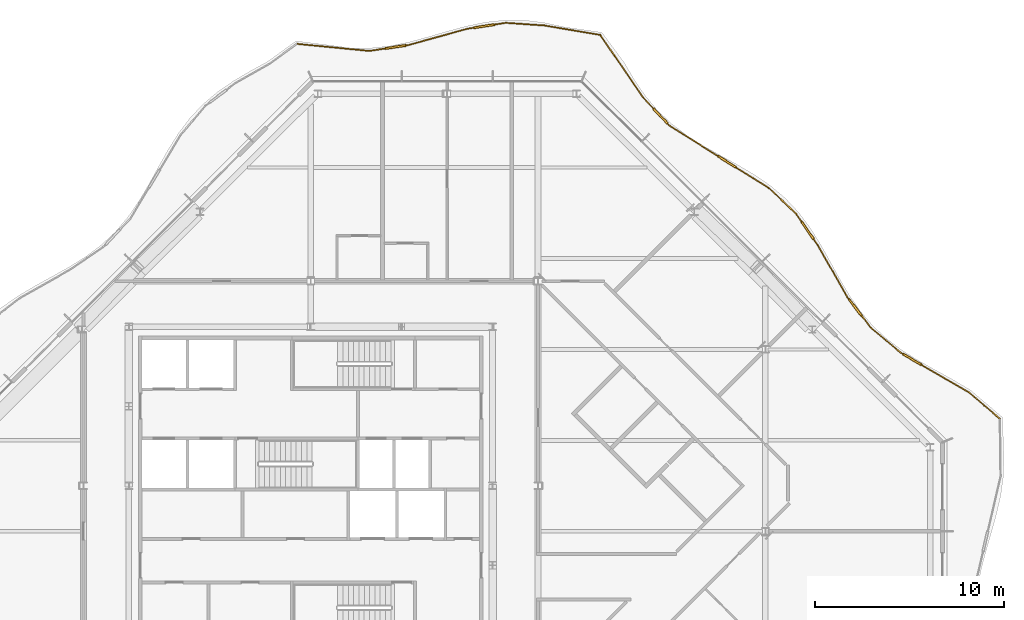
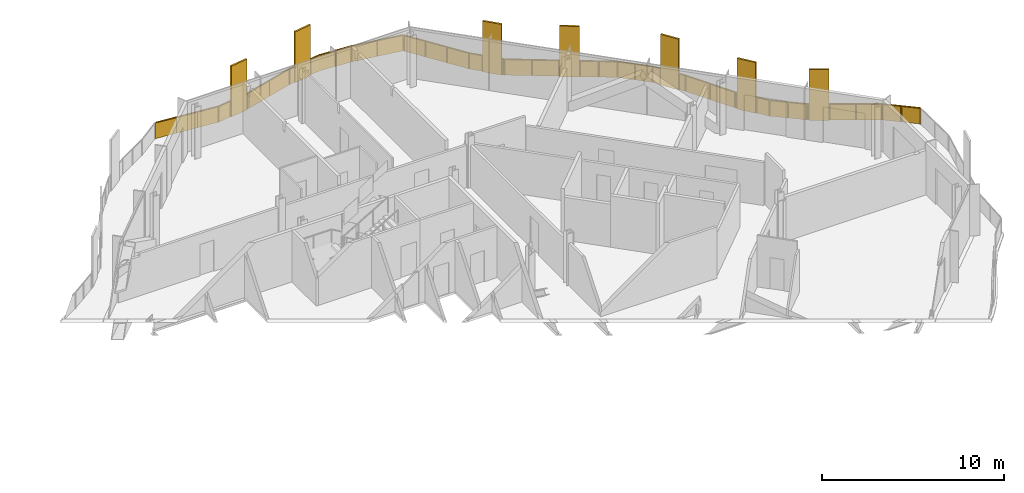
# One storey, part 16 of 16: 2 railings.
"""IFC4 building model written with IfcOpenShell, lengths in metres."""

import ifcopenshell
import ifcopenshell.guid

model = None  # the IFC model being written
_history = None  # IfcOwnerHistory: only IFC2X3 demands one
_inside = {}  # id of a spatial element -> (the spatial element, [elements in it])
_under = {}  # id of a project, library or spatial element -> (it, [spatial elements below it])
_declared = {}  # id of a project -> (the project, [libraries it declares])
_typed = {}  # id of a type object -> (the type object, [elements of that type])
_made_of = {}  # id of a material, layer set ... -> (it, [elements and type objects made of it])


def new_model(schema):
    """Start an empty IFC model of exactly this schema.

    Asked for "IFC4X3", IfcOpenShell would pick the latest addendum, in which some entities
    have other attributes; the version numbers below select the first issue.
    IFC2X3 requires an IfcOwnerHistory on every rooted entity: one is made here for all.
    """
    global model, _history
    if schema == "IFC4X3":
        model = ifcopenshell.file(schema_version=(4, 3, 0, 0))
    else:
        model = ifcopenshell.file(schema=schema)
    _inside.clear()
    _under.clear()
    _declared.clear()
    _typed.clear()
    _made_of.clear()
    _history = None
    if model.schema == "IFC2X3":
        org = make("IfcOrganization", Name="unknown")
        user = make(
            "IfcPersonAndOrganization",
            ThePerson=make("IfcPerson", FamilyName="unknown"),
            TheOrganization=org,
        )
        app = make(
            "IfcApplication",
            ApplicationDeveloper=org,
            Version="unknown",
            ApplicationFullName="unknown",
            ApplicationIdentifier="unknown",
        )
        _history = make(
            "IfcOwnerHistory",
            OwningUser=user,
            OwningApplication=app,
            ChangeAction="ADDED",
            CreationDate=0,
        )
    return model


def make(cls, **values):
    """One entity of the class cls with the attributes given. An attribute that is None is left unset."""
    return model.create_entity(
        cls, **{name: value for name, value in values.items() if value is not None}
    )


def rooted(cls, **values):
    """An entity with a GlobalId (a new one), such as an element, a storey or a relation."""
    return make(cls, GlobalId=ifcopenshell.guid.new(), OwnerHistory=_history, **values)


def si_unit(unit_type, name, prefix=None):
    """IfcSIUnit, for example si_unit("LENGTHUNIT", "METRE", prefix="MILLI")."""
    return make("IfcSIUnit", UnitType=unit_type, Prefix=prefix, Name=name)


def assignment(units):
    """IfcUnitAssignment: the units of a project."""
    return None if units is None else make("IfcUnitAssignment", Units=units)


def point(xyz):
    """IfcCartesianPoint."""
    return None if xyz is None else make("IfcCartesianPoint", Coordinates=xyz)


def direction(xyz):
    """IfcDirection."""
    return None if xyz is None else make("IfcDirection", DirectionRatios=xyz)


def frame(location, z_axis=None, x_axis=None):
    """IfcAxis2Placement3D, a coordinate frame: its origin and axes. An axis left out is left unset."""
    return make(
        "IfcAxis2Placement3D",
        Location=point(location),
        Axis=direction(z_axis),
        RefDirection=direction(x_axis),
    )


def frame_2d(location, x_axis=None):
    """IfcAxis2Placement2D, a coordinate frame in the plane: its origin and x axis."""
    return make(
        "IfcAxis2Placement2D", Location=point(location), RefDirection=direction(x_axis)
    )


def origin():
    """The frame at (0, 0, 0) with its axes left unset."""
    return frame((0.0, 0.0, 0.0))


def origin_2d():
    """The frame at (0, 0) in the plane with its x axis left unset."""
    return frame_2d((0.0, 0.0))


def place(relative_to, where):
    """IfcLocalPlacement: puts the frame where relative to a parent placement (None: the world)."""
    return make(
        "IfcLocalPlacement", PlacementRelTo=relative_to, RelativePlacement=where
    )


def context(
    kind, dimensions, precision=None, world=None, true_north=None, identifier=None
):
    """IfcGeometricRepresentationContext, for example the 3D "Model" context."""
    return make(
        "IfcGeometricRepresentationContext",
        ContextIdentifier=identifier,
        ContextType=kind,
        CoordinateSpaceDimension=dimensions,
        Precision=precision,
        WorldCoordinateSystem=world,
        TrueNorth=true_north,
    )


def subcontext(parent, identifier, kind, view, scale=None):
    """IfcGeometricRepresentationSubContext, for example "Body" below "Model"."""
    return make(
        "IfcGeometricRepresentationSubContext",
        ContextIdentifier=identifier,
        ContextType=kind,
        ParentContext=parent,
        TargetScale=scale,
        TargetView=view,
    )


def project(units=None, contexts=None):
    """IfcProject with its units and contexts."""
    return rooted(
        "IfcProject",
        Name="project",
        RepresentationContexts=contexts,
        UnitsInContext=assignment(units),
    )


def spatial(cls, under=None, at=None, **own):
    """A site, building, storey or space (cls), placed at a placement, below another one or the project."""
    s = rooted(cls, ObjectPlacement=at, **own)
    if under is not None:
        _under.setdefault(under.id(), (under, []))[1].append(s)
    return s


def polyline(points):
    """IfcPolyline through the points."""
    return make("IfcPolyline", Points=[point(p) for p in points])


def profile(cls, at=None, kind="AREA", **sizes):
    """A parametric profile (cls). Its sizes go by their IFC names, for example OverallWidth=200.0."""
    return make(cls, ProfileType=kind, Position=at, **sizes)


def rectangle(**sizes):
    """IfcRectangleProfileDef."""
    return profile("IfcRectangleProfileDef", **sizes)


def outline(outer, holes=None, kind="AREA"):
    """IfcArbitraryClosedProfileDef: a profile drawn as a closed curve; with holes, ...WithVoids."""
    if holes is None:
        return make("IfcArbitraryClosedProfileDef", ProfileType=kind, OuterCurve=outer)
    return make(
        "IfcArbitraryProfileDefWithVoids",
        ProfileType=kind,
        OuterCurve=outer,
        InnerCurves=holes,
    )


def extrude(swept, where, along, depth):
    """IfcExtrudedAreaSolid: the profile swept, set in the frame where, extruded along a direction by depth."""
    return make(
        "IfcExtrudedAreaSolid",
        SweptArea=swept,
        Position=where,
        ExtrudedDirection=direction(along),
        Depth=depth,
    )


def shape(context_of_items, identifier, shape_type, items):
    """IfcShapeRepresentation: the items that make up one representation, for example the "Body"."""
    return make(
        "IfcShapeRepresentation",
        ContextOfItems=context_of_items,
        RepresentationIdentifier=identifier,
        RepresentationType=shape_type,
        Items=items,
    )


def material(Name=None, Category=None):
    """IfcMaterial."""
    return make("IfcMaterial", Name=Name, Category=Category)


def made_of(thing, what):
    """Note that an element or type object is made of a material, layer set ...; save() writes the relation."""
    if what is not None:
        _made_of.setdefault(what.id(), (what, []))[1].append(thing)
    return thing


def type_object(cls, material=None, **own):
    """A type object (cls), such as IfcWallType, which elements share."""
    return made_of(rooted(cls, **own), material)


def element(
    cls,
    number,
    at=None,
    inside=None,
    cuts=None,
    type_object=None,
    material=None,
    context=None,
    identifier="Body",
    shape_type=None,
    held_by="IfcProductDefinitionShape",
    body=None,
    shapes=None,
    **own,
):
    """One element of the class cls, such as IfcWall. Its Tag is "e" and its number.

    at: its placement. inside: the storey or other place that contains it. cuts: it is an
    opening in that element (IfcRelVoidsElement). A single representation is given by context,
    identifier, shape_type and body (its items); several are given by shapes. held_by: the class
    of the entity that holds the representations. save() writes the other relations.
    """
    e = rooted(cls, Tag="e%d" % number, ObjectPlacement=at, **own)
    if body is not None:
        shapes = [shape(context, identifier, shape_type, body)]
    if shapes is not None:
        e.Representation = make(held_by, Representations=shapes)
    if inside is not None:
        _inside.setdefault(inside.id(), (inside, []))[1].append(e)
    if cuts is not None:
        rooted(
            "IfcRelVoidsElement", RelatingBuildingElement=cuts, RelatedOpeningElement=e
        )
    if type_object is not None:
        _typed.setdefault(type_object.id(), (type_object, []))[1].append(e)
    return made_of(e, material)


def aggregate(whole, parts):
    """IfcRelAggregates: a whole, such as a stair, and the parts it consists of."""
    return rooted("IfcRelAggregates", RelatingObject=whole, RelatedObjects=parts)


def save(model, path):
    """Write the relations noted so far, then the file.

    IfcRelAggregates (storeys below a building ...), IfcRelContainedInSpatialStructure (elements
    in a storey), IfcRelDefinesByType, IfcRelAssociatesMaterial and IfcRelDeclares: one each for
    every whole, place, type object, material and project.
    """
    for whole, parts in _under.values():
        aggregate(whole, parts)
    for where, things in _inside.values():
        rooted(
            "IfcRelContainedInSpatialStructure",
            RelatedElements=things,
            RelatingStructure=where,
        )
    for kind, things in _typed.values():
        rooted("IfcRelDefinesByType", RelatedObjects=things, RelatingType=kind)
    for what, things in _made_of.values():
        rooted("IfcRelAssociatesMaterial", RelatedObjects=things, RelatingMaterial=what)
    for by, libraries in _declared.values():
        rooted("IfcRelDeclares", RelatingContext=by, RelatedDefinitions=libraries)
    model.write(path)


model = new_model("IFC4")

# Units and contexts
model_context = context("Model", 3, precision=1e-05, world=origin(), true_north=direction((0.0, 1.0)))
body_context = subcontext(model_context, "Body", "Model", "MODEL_VIEW")
ifc_project = project(units=[si_unit("LENGTHUNIT", "METRE"), si_unit("AREAUNIT", "SQUARE_METRE"), si_unit("VOLUMEUNIT", "CUBIC_METRE"), si_unit("PLANEANGLEUNIT", "RADIAN"), si_unit("MASSUNIT", "GRAM", prefix="KILO")], contexts=[model_context])

# Site, building, storey
site_placement = place(None, origin())
site = spatial("IfcSite", under=ifc_project, at=site_placement, CompositionType="ELEMENT")
building_placement = place(site_placement, origin())
building = spatial("IfcBuilding", under=site, at=building_placement, Name="Cairn Pilgrim Tower", CompositionType="ELEMENT")
storey_placement = place(building_placement, frame((0.0, 0.0, 285.0)))
storey = spatial("IfcBuildingStorey", under=building, at=storey_placement, Name="L73", CompositionType="ELEMENT", Elevation=285.0)

# Railings
ifc_material = material(Name="Bronze anodised aluminium rail, posts and fin screens with laminated glass infill", Category="aluminium")
railing_type = type_object("IfcRailingType", Name="BALCONY GUARD WITH FIN SCREENS", PredefinedType="GUARDRAIL", material=ifc_material)
railing_1_placement = place(storey_placement, frame((43.575439453125, 5.941162109375, 0.0)))
element("IfcRailing", 1, at=railing_1_placement, inside=storey, type_object=railing_type, Name="Balcony guard BGF-4 with fin screens", PredefinedType="GUARDRAIL", context=body_context, shape_type="SweptSolid", body=[
    extrude(rectangle(XDim=0.050048828125, YDim=0.050048828125, at=origin_2d()), frame((0.0, 0.0, 1.0751953125), z_axis=(-0.761464002575, 0.64820719896, 0.0), x_axis=(-0.64820719896, -0.761464002575, 0.0)), (0.0, 0.0, 1.0), 2.142822265625),
    extrude(rectangle(XDim=1.10009765625, YDim=0.110107421875, at=origin_2d()), frame((-4.6220703125, 3.12939453125, 0.0), z_axis=(0.0, 0.0, 1.0), x_axis=(-0.864282932627, 0.503005976475, 0.0)), (0.0, 0.0, 1.0), 3.39990234375),
    extrude(rectangle(XDim=0.050048828125, YDim=0.050048828125, at=origin_2d()), frame((-1.631591796875, 1.388916015625, 1.0751953125), z_axis=(-0.864282932627, 0.503005976475, 0.0), x_axis=(-0.503005976475, -0.864282932627, 0.0)), (0.0, 0.0, 1.0), 2.909912109375),
    extrude(rectangle(XDim=0.050048828125, YDim=0.050048828125, at=origin_2d()), frame((-5.097412109375, 3.406005859375, 1.0751953125), z_axis=(-0.864282932627, 0.503005976475, 0.0), x_axis=(-0.503005976475, -0.864282932627, 0.0)), (0.0, 0.0, 1.0), 0.150146484375),
    extrude(rectangle(XDim=0.050048828125, YDim=0.050048828125, at=origin_2d()), frame((-5.22705078125, 3.4814453125, 1.0751953125), z_axis=(-0.767713086876, 0.640793739232, 0.0), x_axis=(-0.640793739232, -0.767713086876, 0.0)), (0.0, 0.0, 1.0), 2.048583984375),
    extrude(rectangle(XDim=1.10009765625, YDim=0.110107421875, at=origin_2d()), frame((-7.62646484375, 5.8681640625, 0.0), z_axis=(0.0, 0.0, 1.0), x_axis=(-0.609969056147, 0.792425233409, 0.0)), (0.0, 0.0, 1.0), 3.39990234375),
    extrude(rectangle(XDim=0.050048828125, YDim=0.050048828125, at=origin_2d()), frame((-6.7998046875, 4.794189453125, 1.0751953125), z_axis=(-0.609969056147, 0.792425233409, 0.0), x_axis=(-0.792425233409, -0.609969056147, 0.0)), (0.0, 0.0, 1.0), 0.80517578125),
    extrude(rectangle(XDim=0.050048828125, YDim=0.050048828125, at=origin_2d()), frame((-7.9619140625, 6.303955078125, 1.0751953125), z_axis=(-0.609969056147, 0.792425233409, 0.0), x_axis=(-0.792425233409, -0.609969056147, 0.0)), (0.0, 0.0, 1.0), 0.150146484375),
    extrude(rectangle(XDim=0.050048828125, YDim=0.050048828125, at=origin_2d()), frame((-8.053466796875, 6.4228515625, 1.0751953125), z_axis=(-0.493653299278, 0.869658795225, 0.0), x_axis=(-0.869658795225, -0.493653299278, 0.0)), (0.0, 0.0, 1.0), 3.133544921875),
    extrude(rectangle(XDim=1.10009765625, YDim=0.110107421875, at=origin_2d()), frame((-10.146240234375, 9.93994140625, 0.0), z_axis=(0.0, 0.0, 1.0), x_axis=(-0.567445268916, 0.823411116506, 0.0)), (0.0, 0.0, 1.0), 3.39990234375),
    extrude(rectangle(XDim=0.050048828125, YDim=0.050048828125, at=origin_2d()), frame((-9.600341796875, 9.14794921875, 1.0751953125), z_axis=(-0.567445268916, 0.823411116506, 0.0), x_axis=(-0.823411116506, -0.567445268916, 0.0)), (0.0, 0.0, 1.0), 0.411865234375),
    extrude(rectangle(XDim=0.050048828125, YDim=0.050048828125, at=origin_2d()), frame((-10.458251953125, 10.392822265625, 1.0751953125), z_axis=(-0.567445268916, 0.823411116506, 0.0), x_axis=(-0.823411116506, -0.567445268916, 0.0)), (0.0, 0.0, 1.0), 0.510986328125),
    extrude(rectangle(XDim=0.050048828125, YDim=0.050048828125, at=origin_2d()), frame((-10.748291015625, 10.813720703125, 1.0751953125), z_axis=(-0.725768097007, 0.687939437282, 0.0), x_axis=(-0.687939437282, -0.725768097007, 0.0)), (0.0, 0.0, 1.0), 1.9814453125),
    extrude(rectangle(XDim=1.10009765625, YDim=0.110107421875, at=origin_2d()), frame((-14.404296875, 13.56787109375, 0.0), z_axis=(0.0, 0.0, 1.0), x_axis=(-0.847153643165, 0.531348007311, 0.0)), (0.0, 0.0, 1.0), 3.39990234375),
    extrude(rectangle(XDim=0.050048828125, YDim=0.050048828125, at=origin_2d()), frame((-12.186279296875, 12.1767578125, 1.0751953125), z_axis=(-0.847153643165, 0.531348007311, 0.0), x_axis=(-0.531348007311, -0.847153643165, 0.0)), (0.0, 0.0, 1.0), 2.068115234375),
    extrude(rectangle(XDim=0.050048828125, YDim=0.050048828125, at=origin_2d()), frame((-14.8701171875, 13.860107421875, 1.0751953125), z_axis=(-0.847153643165, 0.531348007311, 0.0), x_axis=(-0.531348007311, -0.847153643165, 0.0)), (0.0, 0.0, 1.0), 3.026611328125),
    extrude(rectangle(XDim=1.10009765625, YDim=0.110107421875, at=origin_2d()), frame((-17.9130859375, 15.978759765625, 0.0), z_axis=(0.0, 0.0, 1.0), x_axis=(-0.684227217586, 0.729268890544, 0.0)), (0.0, 0.0, 1.0), 3.39990234375),
    extrude(rectangle(XDim=0.050048828125, YDim=0.050048828125, at=origin_2d()), frame((-17.43408203125, 15.46826171875, 1.0751953125), z_axis=(-0.684227217586, 0.729268890544, 0.0), x_axis=(-0.729268890544, -0.684227217586, 0.0)), (0.0, 0.0, 1.0), 0.150146484375),
    extrude(rectangle(XDim=0.050048828125, YDim=0.050048828125, at=origin_2d()), frame((-18.289306640625, 16.3798828125, 1.0751953125), z_axis=(-0.684227217586, 0.729268890544, 0.0), x_axis=(-0.729268890544, -0.684227217586, 0.0)), (0.0, 0.0, 1.0), 0.79345703125),
    extrude(rectangle(XDim=0.050048828125, YDim=0.050048828125, at=origin_2d()), frame((-18.832275390625, 16.95849609375, 1.0751953125), z_axis=(-0.564987969002, 0.825099142457, 0.0), x_axis=(-0.825099142457, -0.564987969002, 0.0)), (0.0, 0.0, 1.0), 3.943115234375),
    extrude(rectangle(XDim=0.050048828125, YDim=0.050048828125, at=origin_2d()), origin(), (0.0, 0.0, 1.0), 1.050048828125),
    extrude(rectangle(XDim=0.050048828125, YDim=0.050048828125, at=origin_2d()), frame((-0.81591796875, 0.6943359375, 0.0)), (0.0, 0.0, 1.0), 1.050048828125),
    extrude(rectangle(XDim=0.050048828125, YDim=0.050048828125, at=origin_2d()), frame((-1.631591796875, 1.388916015625, 0.0)), (0.0, 0.0, 1.0), 1.050048828125),
    extrude(rectangle(XDim=0.050048828125, YDim=0.050048828125, at=origin_2d()), frame((-2.87841796875, 2.114501953125, 0.0)), (0.0, 0.0, 1.0), 1.050048828125),
    extrude(rectangle(XDim=0.050048828125, YDim=0.050048828125, at=origin_2d()), frame((-4.125, 2.840087890625, 0.0)), (0.0, 0.0, 1.0), 1.050048828125),
    extrude(rectangle(XDim=0.050048828125, YDim=0.050048828125, at=origin_2d()), frame((-5.118896484375, 3.41845703125, 0.0)), (0.0, 0.0, 1.0), 1.050048828125),
    extrude(rectangle(XDim=0.050048828125, YDim=0.050048828125, at=origin_2d()), frame((-5.22705078125, 3.4814453125, 0.0)), (0.0, 0.0, 1.0), 1.050048828125),
    extrude(rectangle(XDim=0.050048828125, YDim=0.050048828125, at=origin_2d()), frame((-6.013427734375, 4.1376953125, 0.0)), (0.0, 0.0, 1.0), 1.050048828125),
    extrude(rectangle(XDim=0.050048828125, YDim=0.050048828125, at=origin_2d()), frame((-6.7998046875, 4.794189453125, 0.0)), (0.0, 0.0, 1.0), 1.050048828125),
    extrude(rectangle(XDim=0.050048828125, YDim=0.050048828125, at=origin_2d()), frame((-7.275634765625, 5.412353515625, 0.0)), (0.0, 0.0, 1.0), 1.050048828125),
    extrude(rectangle(XDim=0.050048828125, YDim=0.050048828125, at=origin_2d()), frame((-7.977294921875, 6.32373046875, 0.0)), (0.0, 0.0, 1.0), 1.050048828125),
    extrude(rectangle(XDim=0.050048828125, YDim=0.050048828125, at=origin_2d()), frame((-8.053466796875, 6.4228515625, 0.0)), (0.0, 0.0, 1.0), 1.050048828125),
    extrude(rectangle(XDim=0.050048828125, YDim=0.050048828125, at=origin_2d()), frame((-8.826904296875, 7.785400390625, 0.0)), (0.0, 0.0, 1.0), 1.050048828125),
    extrude(rectangle(XDim=0.050048828125, YDim=0.050048828125, at=origin_2d()), frame((-9.600341796875, 9.14794921875, 0.0)), (0.0, 0.0, 1.0), 1.050048828125),
    extrude(rectangle(XDim=0.050048828125, YDim=0.050048828125, at=origin_2d()), frame((-9.81982421875, 9.466552734375, 0.0)), (0.0, 0.0, 1.0), 1.050048828125),
    extrude(rectangle(XDim=0.050048828125, YDim=0.050048828125, at=origin_2d()), frame((-10.472412109375, 10.41357421875, 0.0)), (0.0, 0.0, 1.0), 1.050048828125),
    extrude(rectangle(XDim=0.050048828125, YDim=0.050048828125, at=origin_2d()), frame((-10.748291015625, 10.813720703125, 0.0)), (0.0, 0.0, 1.0), 1.050048828125),
    extrude(rectangle(XDim=0.050048828125, YDim=0.050048828125, at=origin_2d()), frame((-11.46728515625, 11.4951171875, 0.0)), (0.0, 0.0, 1.0), 1.050048828125),
    extrude(rectangle(XDim=0.050048828125, YDim=0.050048828125, at=origin_2d()), frame((-12.186279296875, 12.1767578125, 0.0)), (0.0, 0.0, 1.0), 1.050048828125),
    extrude(rectangle(XDim=0.050048828125, YDim=0.050048828125, at=origin_2d()), frame((-13.0517578125, 12.719482421875, 0.0)), (0.0, 0.0, 1.0), 1.050048828125),
    extrude(rectangle(XDim=0.050048828125, YDim=0.050048828125, at=origin_2d()), frame((-13.9169921875, 13.26220703125, 0.0)), (0.0, 0.0, 1.0), 1.050048828125),
    extrude(rectangle(XDim=0.050048828125, YDim=0.050048828125, at=origin_2d()), frame((-14.891357421875, 13.873291015625, 0.0)), (0.0, 0.0, 1.0), 1.050048828125),
    extrude(rectangle(XDim=0.050048828125, YDim=0.050048828125, at=origin_2d()), frame((-16.16259765625, 14.6708984375, 0.0)), (0.0, 0.0, 1.0), 1.050048828125),
    extrude(rectangle(XDim=0.050048828125, YDim=0.050048828125, at=origin_2d()), frame((-17.43408203125, 15.46826171875, 0.0)), (0.0, 0.0, 1.0), 1.050048828125),
    extrude(rectangle(XDim=0.050048828125, YDim=0.050048828125, at=origin_2d()), frame((-17.51953125, 15.559326171875, 0.0)), (0.0, 0.0, 1.0), 1.050048828125),
    extrude(rectangle(XDim=0.050048828125, YDim=0.050048828125, at=origin_2d()), frame((-18.306396484375, 16.398193359375, 0.0)), (0.0, 0.0, 1.0), 1.050048828125),
    extrude(rectangle(XDim=0.050048828125, YDim=0.050048828125, at=origin_2d()), frame((-18.832275390625, 16.95849609375, 0.0)), (0.0, 0.0, 1.0), 1.050048828125),
    extrude(rectangle(XDim=0.050048828125, YDim=0.050048828125, at=origin_2d()), frame((-19.574951171875, 18.04296875, 0.0)), (0.0, 0.0, 1.0), 1.050048828125),
    extrude(rectangle(XDim=0.050048828125, YDim=0.050048828125, at=origin_2d()), frame((-20.3173828125, 19.12744140625, 0.0)), (0.0, 0.0, 1.0), 1.050048828125),
    extrude(rectangle(XDim=0.050048828125, YDim=0.050048828125, at=origin_2d()), frame((-21.06005859375, 20.2119140625, 0.0)), (0.0, 0.0, 1.0), 1.050048828125),
    extrude(outline(polyline([(0.02490234375, 0.0), (1.04638671875, 0.0), (1.04638671875, 1.050048828125), (0.02490234375, 1.050048828125), (0.02490234375, 0.0)])), frame((-0.00390625, -0.004638671875, 0.0), z_axis=(0.64820719896, 0.761464002575, 0.0), x_axis=(-0.761464002575, 0.64820719896, 0.0)), (0.0, 0.0, 1.0), 0.011962890625),
    extrude(outline(polyline([(0.02490234375, 0.0), (1.04638671875, 0.0), (1.04638671875, 1.050048828125), (0.02490234375, 1.050048828125), (0.02490234375, 0.0)])), frame((-0.819580078125, 0.68994140625, 0.0), z_axis=(0.64820719896, 0.761464002575, 0.0), x_axis=(-0.761464002575, 0.64820719896, 0.0)), (0.0, 0.0, 1.0), 0.011962890625),
    extrude(outline(polyline([(0.02490234375, 0.0), (1.41748046875, 0.0), (1.41748046875, 1.050048828125), (0.02490234375, 1.050048828125), (0.02490234375, 0.0)])), frame((-1.634521484375, 1.3837890625, 0.0), z_axis=(0.503005976475, 0.864282932627, 0.0), x_axis=(-0.864282932627, 0.503005976475, 0.0)), (0.0, 0.0, 1.0), 0.011962890625),
    extrude(outline(polyline([(0.02490234375, 0.0), (1.41748046875, 0.0), (1.41748046875, 1.050048828125), (0.02490234375, 1.050048828125), (0.02490234375, 0.0)])), frame((-2.88134765625, 2.109375, 0.0), z_axis=(0.503005976475, 0.864282932627, 0.0), x_axis=(-0.864282932627, 0.503005976475, 0.0)), (0.0, 0.0, 1.0), 0.011962890625),
    extrude(outline(polyline([(0.02490234375, 0.0), (0.10009765625, 0.0), (0.10009765625, 1.050048828125), (0.02490234375, 1.050048828125), (0.02490234375, 0.0)])), frame((-5.1220703125, 3.413330078125, 0.0), z_axis=(0.503005976475, 0.864282932627, 0.0), x_axis=(-0.864282932627, 0.503005976475, 0.0)), (0.0, 0.0, 1.0), 0.011962890625),
    extrude(outline(polyline([(0.02490234375, 0.0), (0.999267578125, 0.0), (0.999267578125, 1.050048828125), (0.02490234375, 1.050048828125), (0.02490234375, 0.0)])), frame((-5.23095703125, 3.476806640625, 0.0), z_axis=(0.640793739232, 0.767713086876, 0.0), x_axis=(-0.767713086876, 0.640793739232, 0.0)), (0.0, 0.0, 1.0), 0.011962890625),
    extrude(outline(polyline([(0.02490234375, 0.0), (0.999267578125, 0.0), (0.999267578125, 1.050048828125), (0.02490234375, 1.050048828125), (0.02490234375, 0.0)])), frame((-6.017333984375, 4.13330078125, 0.0), z_axis=(0.640793739232, 0.767713086876, 0.0), x_axis=(-0.767713086876, 0.640793739232, 0.0)), (0.0, 0.0, 1.0), 0.011962890625),
    extrude(outline(polyline([(0.02490234375, 0.0), (0.755126953125, 0.0), (0.755126953125, 1.050048828125), (0.02490234375, 1.050048828125), (0.02490234375, 0.0)])), frame((-6.804443359375, 4.79052734375, 0.0), z_axis=(0.792425233409, 0.609969056147, 0.0), x_axis=(-0.609969056147, 0.792425233409, 0.0)), (0.0, 0.0, 1.0), 0.011962890625),
    extrude(outline(polyline([(0.02490234375, 0.0), (0.10009765625, 0.0), (0.10009765625, 1.050048828125), (0.02490234375, 1.050048828125), (0.02490234375, 0.0)])), frame((-7.98193359375, 6.320068359375, 0.0), z_axis=(0.792425233409, 0.609969056147, 0.0), x_axis=(-0.609969056147, 0.792425233409, 0.0)), (0.0, 0.0, 1.0), 0.011962890625),
    extrude(outline(polyline([(0.02490234375, 0.0), (1.541748046875, 0.0), (1.541748046875, 1.050048828125), (0.02490234375, 1.050048828125), (0.02490234375, 0.0)])), frame((-8.05859375, 6.419921875, 0.0), z_axis=(0.869658795225, 0.493653299278, 0.0), x_axis=(-0.493653299278, 0.869658795225, 0.0)), (0.0, 0.0, 1.0), 0.011962890625),
    extrude(outline(polyline([(0.02490234375, 0.0), (1.541748046875, 0.0), (1.541748046875, 1.050048828125), (0.02490234375, 1.050048828125), (0.02490234375, 0.0)])), frame((-8.83203125, 7.782470703125, 0.0), z_axis=(0.869658795225, 0.493653299278, 0.0), x_axis=(-0.493653299278, 0.869658795225, 0.0)), (0.0, 0.0, 1.0), 0.011962890625),
    extrude(outline(polyline([(0.02490234375, 0.0), (0.36181640625, 0.0), (0.36181640625, 1.050048828125), (0.02490234375, 1.050048828125), (0.02490234375, 0.0)])), frame((-9.605224609375, 9.14453125, 0.0), z_axis=(0.823411116506, 0.567445268916, 0.0), x_axis=(-0.567445268916, 0.823411116506, 0.0)), (0.0, 0.0, 1.0), 0.011962890625),
    extrude(outline(polyline([(0.02490234375, 0.0), (0.4609375, 0.0), (0.4609375, 1.050048828125), (0.02490234375, 1.050048828125), (0.02490234375, 0.0)])), frame((-10.477294921875, 10.41015625, 0.0), z_axis=(0.823411116506, 0.567445268916, 0.0), x_axis=(-0.567445268916, 0.823411116506, 0.0)), (0.0, 0.0, 1.0), 0.011962890625),
    extrude(outline(polyline([(0.02490234375, 0.0), (0.965576171875, 0.0), (0.965576171875, 1.050048828125), (0.02490234375, 1.050048828125), (0.02490234375, 0.0)])), frame((-10.75244140625, 10.809326171875, 0.0), z_axis=(0.687939437282, 0.725768097007, 0.0), x_axis=(-0.725768097007, 0.687939437282, 0.0)), (0.0, 0.0, 1.0), 0.011962890625),
    extrude(outline(polyline([(0.02490234375, 0.0), (0.965576171875, 0.0), (0.965576171875, 1.050048828125), (0.02490234375, 1.050048828125), (0.02490234375, 0.0)])), frame((-11.471435546875, 11.490966796875, 0.0), z_axis=(0.687939437282, 0.725768097007, 0.0), x_axis=(-0.725768097007, 0.687939437282, 0.0)), (0.0, 0.0, 1.0), 0.011962890625),
    extrude(outline(polyline([(0.02490234375, 0.0), (0.99658203125, 0.0), (0.99658203125, 1.050048828125), (0.02490234375, 1.050048828125), (0.02490234375, 0.0)])), frame((-12.189453125, 12.171630859375, 0.0), z_axis=(0.531348007311, 0.847153643165, 0.0), x_axis=(-0.847153643165, 0.531348007311, 0.0)), (0.0, 0.0, 1.0), 0.011962890625),
    extrude(outline(polyline([(0.02490234375, 0.0), (0.99658203125, 0.0), (0.99658203125, 1.050048828125), (0.02490234375, 1.050048828125), (0.02490234375, 0.0)])), frame((-13.054931640625, 12.71435546875, 0.0), z_axis=(0.531348007311, 0.847153643165, 0.0), x_axis=(-0.847153643165, 0.531348007311, 0.0)), (0.0, 0.0, 1.0), 0.011962890625),
    extrude(outline(polyline([(0.02490234375, 0.0), (1.475830078125, 0.0), (1.475830078125, 1.050048828125), (0.02490234375, 1.050048828125), (0.02490234375, 0.0)])), frame((-14.89453125, 13.868408203125, 0.0), z_axis=(0.531348007311, 0.847153643165, 0.0), x_axis=(-0.847153643165, 0.531348007311, 0.0)), (0.0, 0.0, 1.0), 0.011962890625),
    extrude(outline(polyline([(0.02490234375, 0.0), (1.475830078125, 0.0), (1.475830078125, 1.050048828125), (0.02490234375, 1.050048828125), (0.02490234375, 0.0)])), frame((-16.165771484375, 14.665771484375, 0.0), z_axis=(0.531348007311, 0.847153643165, 0.0), x_axis=(-0.847153643165, 0.531348007311, 0.0)), (0.0, 0.0, 1.0), 0.011962890625),
    extrude(outline(polyline([(0.02490234375, 0.0), (0.10009765625, 0.0), (0.10009765625, 1.050048828125), (0.02490234375, 1.050048828125), (0.02490234375, 0.0)])), frame((-17.4384765625, 15.464111328125, 0.0), z_axis=(0.729268890544, 0.684227217586, 0.0), x_axis=(-0.684227217586, 0.729268890544, 0.0)), (0.0, 0.0, 1.0), 0.011962890625),
    extrude(outline(polyline([(0.02490234375, 0.0), (0.743408203125, 0.0), (0.743408203125, 1.050048828125), (0.02490234375, 1.050048828125), (0.02490234375, 0.0)])), frame((-18.310791015625, 16.39404296875, 0.0), z_axis=(0.729268890544, 0.684227217586, 0.0), x_axis=(-0.684227217586, 0.729268890544, 0.0)), (0.0, 0.0, 1.0), 0.011962890625),
    extrude(outline(polyline([(0.02490234375, 0.0), (1.289306640625, 0.0), (1.289306640625, 1.050048828125), (0.02490234375, 1.050048828125), (0.02490234375, 0.0)])), frame((-18.837158203125, 16.955078125, 0.0), z_axis=(0.825099142457, 0.564987969002, 0.0), x_axis=(-0.564987969002, 0.825099142457, 0.0)), (0.0, 0.0, 1.0), 0.011962890625),
    extrude(outline(polyline([(0.02490234375, 0.0), (1.289306640625, 0.0), (1.289306640625, 1.050048828125), (0.02490234375, 1.050048828125), (0.02490234375, 0.0)])), frame((-19.579833984375, 18.03955078125, 0.0), z_axis=(0.825099142457, 0.564987969002, 0.0), x_axis=(-0.564987969002, 0.825099142457, 0.0)), (0.0, 0.0, 1.0), 0.011962890625),
    extrude(outline(polyline([(0.02490234375, 0.0), (1.289306640625, 0.0), (1.289306640625, 1.050048828125), (0.02490234375, 1.050048828125), (0.02490234375, 0.0)])), frame((-20.322509765625, 19.1240234375, 0.0), z_axis=(0.825099142457, 0.564987969002, 0.0), x_axis=(-0.564987969002, 0.825099142457, 0.0)), (0.0, 0.0, 1.0), 0.011962890625),
])
railing_2_placement = place(storey_placement, frame((22.4814453125, 26.20263671875, 0.0)))
element("IfcRailing", 2, at=railing_2_placement, inside=storey, type_object=railing_type, Name="Balcony guard BGF-5 with fin screens", PredefinedType="GUARDRAIL", context=body_context, shape_type="SweptSolid", body=[
    extrude(rectangle(XDim=0.050048828125, YDim=0.050048828125, at=origin_2d()), frame((0.0, 0.0, 1.0751953125), z_axis=(-0.986077387059, 0.166287061225, 0.0), x_axis=(-0.166287061225, -0.986077387059, 0.0)), (0.0, 0.0, 1.0), 2.998046875),
    extrude(rectangle(XDim=0.050048828125, YDim=0.050048828125, at=origin_2d()), frame((-2.956298828125, 0.49853515625, 1.0751953125), z_axis=(-0.99770600028, 0.067695915715, 0.0), x_axis=(-0.067695915715, -0.99770600028, 0.0)), (0.0, 0.0, 1.0), 2.03759765625),
    extrude(rectangle(XDim=1.10009765625, YDim=0.110107421875, at=origin_2d()), frame((-6.131103515625, 0.460205078125, 0.0), z_axis=(0.0, 0.0, 1.0), x_axis=(-0.988290565721, -0.152583608909, 0.0)), (0.0, 0.0, 1.0), 3.39990234375),
    extrude(rectangle(XDim=0.050048828125, YDim=0.050048828125, at=origin_2d()), frame((-4.9892578125, 0.636474609375, 1.0751953125), z_axis=(-0.988290565721, -0.152583608909, 0.0), x_axis=(0.152583608909, -0.988290565721, 0.0)), (0.0, 0.0, 1.0), 0.60546875),
    extrude(rectangle(XDim=0.050048828125, YDim=0.050048828125, at=origin_2d()), frame((-6.6748046875, 0.376220703125, 1.0751953125), z_axis=(-0.988290565721, -0.152583608909, 0.0), x_axis=(0.152583608909, -0.988290565721, 0.0)), (0.0, 0.0, 1.0), 0.3505859375),
    extrude(rectangle(XDim=0.050048828125, YDim=0.050048828125, at=origin_2d()), frame((-7.021240234375, 0.32275390625, 1.0751953125), z_axis=(-0.963755661994, -0.26678647637, 0.0), x_axis=(0.26678647637, -0.963755661994, 0.0)), (0.0, 0.0, 1.0), 3.201904296875),
    extrude(rectangle(XDim=1.10009765625, YDim=0.110107421875, at=origin_2d()), frame((-10.799560546875, -0.6357421875, 0.0), z_axis=(0.0, 0.0, 1.0), x_axis=(-0.988848690949, -0.148923693238, 0.0)), (0.0, 0.0, 1.0), 3.39990234375),
    extrude(rectangle(XDim=0.050048828125, YDim=0.050048828125, at=origin_2d()), frame((-10.107177734375, -0.531494140625, 1.0751953125), z_axis=(-0.988848690949, -0.148923693238, 0.0), x_axis=(0.148923693238, -0.988848690949, 0.0)), (0.0, 0.0, 1.0), 0.150146484375),
    extrude(rectangle(XDim=0.050048828125, YDim=0.050048828125, at=origin_2d()), frame((-11.34326171875, -0.7177734375, 1.0751953125), z_axis=(-0.988848690949, -0.148923693238, 0.0), x_axis=(0.148923693238, -0.988848690949, 0.0)), (0.0, 0.0, 1.0), 0.858154296875),
    extrude(rectangle(XDim=0.050048828125, YDim=0.050048828125, at=origin_2d()), frame((-12.19189453125, -0.845458984375, 1.0751953125), z_axis=(-0.995286178242, 0.096981562169, 0.0), x_axis=(-0.096981562169, -0.995286178242, 0.0)), (0.0, 0.0, 1.0), 3.7861328125),
    extrude(rectangle(XDim=0.050048828125, YDim=0.050048828125, at=origin_2d()), origin(), (0.0, 0.0, 1.0), 1.050048828125),
    extrude(rectangle(XDim=0.050048828125, YDim=0.050048828125, at=origin_2d()), frame((-1.47802734375, 0.249267578125, 0.0)), (0.0, 0.0, 1.0), 1.050048828125),
    extrude(rectangle(XDim=0.050048828125, YDim=0.050048828125, at=origin_2d()), frame((-2.956298828125, 0.49853515625, 0.0)), (0.0, 0.0, 1.0), 1.050048828125),
    extrude(rectangle(XDim=0.050048828125, YDim=0.050048828125, at=origin_2d()), frame((-3.97265625, 0.5673828125, 0.0)), (0.0, 0.0, 1.0), 1.050048828125),
    extrude(rectangle(XDim=0.050048828125, YDim=0.050048828125, at=origin_2d()), frame((-4.9892578125, 0.636474609375, 0.0)), (0.0, 0.0, 1.0), 1.050048828125),
    extrude(rectangle(XDim=0.050048828125, YDim=0.050048828125, at=origin_2d()), frame((-5.562744140625, 0.5478515625, 0.0)), (0.0, 0.0, 1.0), 1.050048828125),
    extrude(rectangle(XDim=0.050048828125, YDim=0.050048828125, at=origin_2d()), frame((-6.699462890625, 0.372314453125, 0.0)), (0.0, 0.0, 1.0), 1.050048828125),
    extrude(rectangle(XDim=0.050048828125, YDim=0.050048828125, at=origin_2d()), frame((-7.021240234375, 0.32275390625, 0.0)), (0.0, 0.0, 1.0), 1.050048828125),
    extrude(rectangle(XDim=0.050048828125, YDim=0.050048828125, at=origin_2d()), frame((-8.564208984375, -0.1044921875, 0.0)), (0.0, 0.0, 1.0), 1.050048828125),
    extrude(rectangle(XDim=0.050048828125, YDim=0.050048828125, at=origin_2d()), frame((-10.107177734375, -0.531494140625, 0.0)), (0.0, 0.0, 1.0), 1.050048828125),
    extrude(rectangle(XDim=0.050048828125, YDim=0.050048828125, at=origin_2d()), frame((-10.23095703125, -0.550048828125, 0.0)), (0.0, 0.0, 1.0), 1.050048828125),
    extrude(rectangle(XDim=0.050048828125, YDim=0.050048828125, at=origin_2d()), frame((-11.3681640625, -0.721435546875, 0.0)), (0.0, 0.0, 1.0), 1.050048828125),
    extrude(rectangle(XDim=0.050048828125, YDim=0.050048828125, at=origin_2d()), frame((-12.19189453125, -0.845458984375, 0.0)), (0.0, 0.0, 1.0), 1.050048828125),
    extrude(rectangle(XDim=0.050048828125, YDim=0.050048828125, at=origin_2d()), frame((-13.447998046875, -0.72314453125, 0.0)), (0.0, 0.0, 1.0), 1.050048828125),
    extrude(rectangle(XDim=0.050048828125, YDim=0.050048828125, at=origin_2d()), frame((-14.7041015625, -0.6005859375, 0.0)), (0.0, 0.0, 1.0), 1.050048828125),
    extrude(rectangle(XDim=0.050048828125, YDim=0.050048828125, at=origin_2d()), frame((-15.960205078125, -0.478271484375, 0.0)), (0.0, 0.0, 1.0), 1.050048828125),
    extrude(outline(polyline([(0.02490234375, 0.0), (1.473876953125, 0.0), (1.473876953125, 1.050048828125), (0.02490234375, 1.050048828125), (0.02490234375, 0.0)])), frame((-0.0009765625, -0.005859375, 0.0), z_axis=(0.166287061225, 0.986077387059, 0.0), x_axis=(-0.986077387059, 0.166287061225, 0.0)), (0.0, 0.0, 1.0), 0.011962890625),
    extrude(outline(polyline([(0.02490234375, 0.0), (1.473876953125, 0.0), (1.473876953125, 1.050048828125), (0.02490234375, 1.050048828125), (0.02490234375, 0.0)])), frame((-1.479248046875, 0.243408203125, 0.0), z_axis=(0.166287061225, 0.986077387059, 0.0), x_axis=(-0.986077387059, 0.166287061225, 0.0)), (0.0, 0.0, 1.0), 0.011962890625),
    extrude(outline(polyline([(0.02490234375, 0.0), (0.993896484375, 0.0), (0.993896484375, 1.050048828125), (0.02490234375, 1.050048828125), (0.02490234375, 0.0)])), frame((-2.956787109375, 0.49267578125, 0.0), z_axis=(0.067695915715, 0.99770600028, 0.0), x_axis=(-0.99770600028, 0.067695915715, 0.0)), (0.0, 0.0, 1.0), 0.011962890625),
    extrude(outline(polyline([(0.02490234375, 0.0), (0.993896484375, 0.0), (0.993896484375, 1.050048828125), (0.02490234375, 1.050048828125), (0.02490234375, 0.0)])), frame((-3.97314453125, 0.5615234375, 0.0), z_axis=(0.067695915715, 0.99770600028, 0.0), x_axis=(-0.99770600028, 0.067695915715, 0.0)), (0.0, 0.0, 1.0), 0.011962890625),
    extrude(outline(polyline([(0.02490234375, 0.0), (0.555419921875, 0.0), (0.555419921875, 1.050048828125), (0.02490234375, 1.050048828125), (0.02490234375, 0.0)])), frame((-4.98828125, 0.630615234375, 0.0), z_axis=(-0.152583608909, 0.988290565721, 0.0), x_axis=(-0.988290565721, -0.152583608909, 0.0)), (0.0, 0.0, 1.0), 0.011962890625),
    extrude(outline(polyline([(0.02490234375, 0.0), (0.300537109375, 0.0), (0.300537109375, 1.050048828125), (0.02490234375, 1.050048828125), (0.02490234375, 0.0)])), frame((-6.698486328125, 0.366455078125, 0.0), z_axis=(-0.152583608909, 0.988290565721, 0.0), x_axis=(-0.988290565721, -0.152583608909, 0.0)), (0.0, 0.0, 1.0), 0.011962890625),
    extrude(outline(polyline([(0.02490234375, 0.0), (1.575927734375, 0.0), (1.575927734375, 1.050048828125), (0.02490234375, 1.050048828125), (0.02490234375, 0.0)])), frame((-7.01953125, 0.31689453125, 0.0), z_axis=(-0.26678647637, 0.963755661994, 0.0), x_axis=(-0.963755661994, -0.26678647637, 0.0)), (0.0, 0.0, 1.0), 0.011962890625),
    extrude(outline(polyline([(0.02490234375, 0.0), (1.575927734375, 0.0), (1.575927734375, 1.050048828125), (0.02490234375, 1.050048828125), (0.02490234375, 0.0)])), frame((-8.5625, -0.110107421875, 0.0), z_axis=(-0.26678647637, 0.963755661994, 0.0), x_axis=(-0.963755661994, -0.26678647637, 0.0)), (0.0, 0.0, 1.0), 0.011962890625),
    extrude(outline(polyline([(0.02490234375, 0.0), (0.10009765625, 0.0), (0.10009765625, 1.050048828125), (0.02490234375, 1.050048828125), (0.02490234375, 0.0)])), frame((-10.106201171875, -0.537353515625, 0.0), z_axis=(-0.148923693238, 0.988848690949, 0.0), x_axis=(-0.988848690949, -0.148923693238, 0.0)), (0.0, 0.0, 1.0), 0.011962890625),
    extrude(outline(polyline([(0.02490234375, 0.0), (0.80810546875, 0.0), (0.80810546875, 1.050048828125), (0.02490234375, 1.050048828125), (0.02490234375, 0.0)])), frame((-11.3671875, -0.727294921875, 0.0), z_axis=(-0.148923693238, 0.988848690949, 0.0), x_axis=(-0.988848690949, -0.148923693238, 0.0)), (0.0, 0.0, 1.0), 0.011962890625),
    extrude(outline(polyline([(0.02490234375, 0.0), (1.237060546875, 0.0), (1.237060546875, 1.050048828125), (0.02490234375, 1.050048828125), (0.02490234375, 0.0)])), frame((-12.1923828125, -0.851318359375, 0.0), z_axis=(0.096981562169, 0.995286178242, 0.0), x_axis=(-0.995286178242, 0.096981562169, 0.0)), (0.0, 0.0, 1.0), 0.011962890625),
    extrude(outline(polyline([(0.02490234375, 0.0), (1.237060546875, 0.0), (1.237060546875, 1.050048828125), (0.02490234375, 1.050048828125), (0.02490234375, 0.0)])), frame((-13.448486328125, -0.72900390625, 0.0), z_axis=(0.096981562169, 0.995286178242, 0.0), x_axis=(-0.995286178242, 0.096981562169, 0.0)), (0.0, 0.0, 1.0), 0.011962890625),
    extrude(outline(polyline([(0.02490234375, 0.0), (1.237060546875, 0.0), (1.237060546875, 1.050048828125), (0.02490234375, 1.050048828125), (0.02490234375, 0.0)])), frame((-14.70458984375, -0.606689453125, 0.0), z_axis=(0.096981562169, 0.995286178242, 0.0), x_axis=(-0.995286178242, 0.096981562169, 0.0)), (0.0, 0.0, 1.0), 0.011962890625),
])

save(model, "model.ifc")
